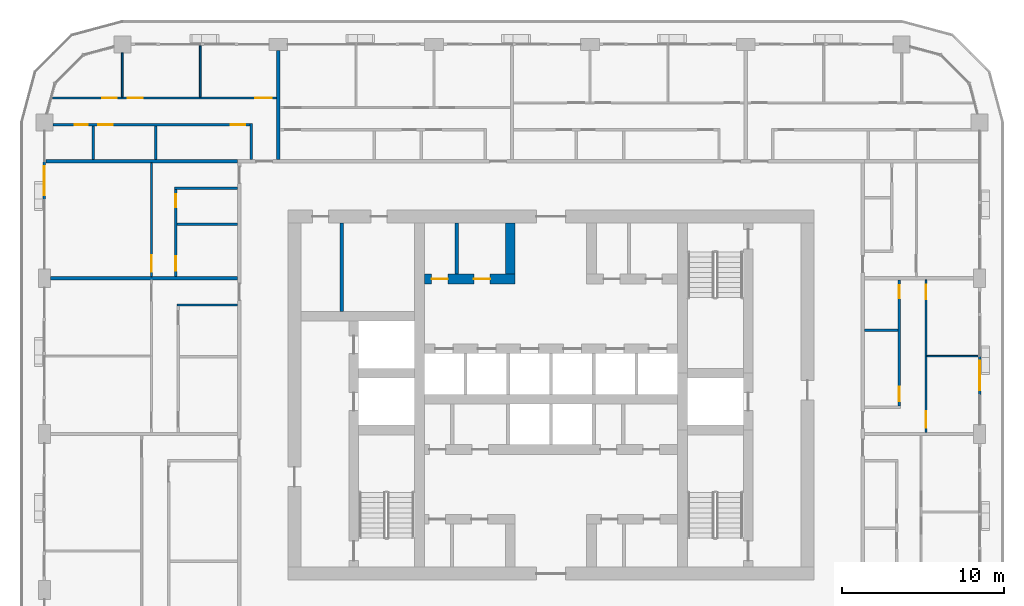
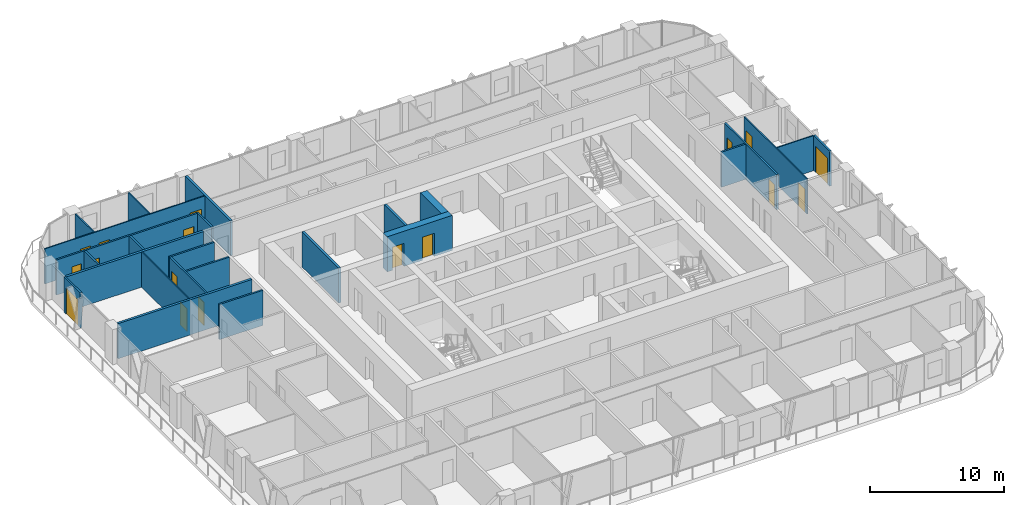
# One storey, part 13 of 22: 25 walls, 17 doors, 17 openings.
"""IFC4 building model written with IfcOpenShell, lengths in metres."""

from ifc_helpers import new_model, si_unit, direction, frame, frame_2d, origin, place, context, subcontext, project, spatial, rectangle, extrude, material, layer, layer_set, type_object, element, fill, save


model = new_model("IFC4")

# Units and contexts
model_context = context("Model", 3, precision=1e-05, world=origin(), true_north=direction((0.0, 1.0)))
body_context = subcontext(model_context, "Body", "Model", "MODEL_VIEW")
ifc_project = project(units=[si_unit("LENGTHUNIT", "METRE"), si_unit("AREAUNIT", "SQUARE_METRE"), si_unit("VOLUMEUNIT", "CUBIC_METRE"), si_unit("PLANEANGLEUNIT", "RADIAN"), si_unit("MASSUNIT", "GRAM", prefix="KILO")], contexts=[model_context])

# Site, building, storey
site_placement = place(None, origin())
site = spatial("IfcSite", under=ifc_project, at=site_placement, CompositionType="ELEMENT")
building_placement = place(site_placement, origin())
building = spatial("IfcBuilding", under=site, at=building_placement, Name="Madar Terraces", CompositionType="ELEMENT")
storey_placement = place(building_placement, frame((0.0, 0.0, 156.0)))
storey = spatial("IfcBuildingStorey", under=building, at=storey_placement, Name="L40", CompositionType="ELEMENT", Elevation=156.0)

# Wall, openings, doors
ifc_material_1 = material(Name="Concrete C70/85", Category="concrete")
ifc_layer_1 = layer(ifc_material_1, 0.60009765625)
ifc_layer_set_1 = layer_set([ifc_layer_1], Name="Concrete C70/85 (CIW3 RC wall 600)")
wall_type_1 = type_object("IfcWallType", Name="CIW3 RC wall 600", PredefinedType="SHEAR", material=ifc_layer_set_1)
wall_1_placement = place(storey_placement, frame((23.39990234375, 33.550048828125, 0.0), z_axis=(0.0, 0.0, 1.0), x_axis=(1.0, 0.0, 0.0)))
wall_1 = element("IfcWall", 1, at=wall_1_placement, inside=storey, type_object=wall_type_1, Name="CORE SHAFT WALL", PredefinedType="SHEAR", context=body_context, shape_type="SweptSolid", body=[
    extrude(rectangle(XDim=5.60009765625, YDim=0.60009765625, at=frame_2d((2.800048828125, 0.0))), origin(), (0.0, 0.0, 1.0), 3.199951171875),
])
opening_1_placement = place(wall_1_placement, frame((0.449951171875, 0.0, 0.0)))
opening_1 = element("IfcOpeningElement", 2, at=opening_1_placement, cuts=wall_1, Name="Opening KD2", PredefinedType="OPENING", context=body_context, shape_type="SweptSolid", body=[
    extrude(rectangle(XDim=1.0, YDim=2.10009765625, at=frame_2d((0.5, 1.050048828125))), frame((0.0, 0.31005859375, 0.0), z_axis=(0.0, -1.0, 0.0), x_axis=(1.0, 0.0, 0.0)), (0.0, 0.0, 1.0), 0.6201171875),
])
opening_2_placement = place(wall_1_placement, frame((3.050048828125, 0.0, 0.0)))
opening_2 = element("IfcOpeningElement", 3, at=opening_2_placement, cuts=wall_1, Name="Opening KD2", PredefinedType="OPENING", context=body_context, shape_type="SweptSolid", body=[
    extrude(rectangle(XDim=1.0, YDim=2.10009765625, at=frame_2d((0.5, 1.050048828125))), frame((0.0, 0.31005859375, 0.0), z_axis=(0.0, -1.0, 0.0), x_axis=(1.0, 0.0, 0.0)), (0.0, 0.0, 1.0), 0.6201171875),
])
ifc_material_2 = material(Name="Steel door leaf", Category="steel")
door_type_1 = type_object("IfcDoorType", Name="Service room door 1000 x 2100", OperationType="NOTDEFINED", PredefinedType="DOOR", material=ifc_material_2)
door_1_placement = place(opening_1_placement, frame((1.0, 0.0, 0.0), z_axis=(0.0, 0.0, 1.0), x_axis=(-1.0, 0.0, 0.0)))
door_1 = element("IfcDoor", 4, at=door_1_placement, inside=storey, type_object=door_type_1, Name="SERVICE ROOM DOOR", OperationType="SINGLE_SWING_LEFT", OverallHeight=2.10009765625, OverallWidth=1.0, PredefinedType="DOOR", context=body_context, shape_type="SweptSolid", body=[
    extrude(rectangle(XDim=1.0, YDim=2.10009765625, at=frame_2d((0.5, 1.050048828125))), frame((0.0, 0.02490234375, 0.0), z_axis=(0.0, -1.0, 0.0), x_axis=(1.0, 0.0, 0.0)), (0.0, 0.0, 1.0), 0.050048828125),
])
fill(opening_1, door_1)
door_2_placement = place(opening_2_placement, frame((1.0, 0.0, 0.0), z_axis=(0.0, 0.0, 1.0), x_axis=(-1.0, 0.0, 0.0)))
door_2 = element("IfcDoor", 5, at=door_2_placement, inside=storey, type_object=door_type_1, Name="SERVICE ROOM DOOR", OperationType="SINGLE_SWING_RIGHT", OverallHeight=2.10009765625, OverallWidth=1.0, PredefinedType="DOOR", context=body_context, shape_type="SweptSolid", body=[
    extrude(rectangle(XDim=1.0, YDim=2.10009765625, at=frame_2d((0.5, 1.050048828125))), frame((0.0, 0.02490234375, 0.0), z_axis=(0.0, -1.0, 0.0), x_axis=(1.0, 0.0, 0.0)), (0.0, 0.0, 1.0), 0.050048828125),
])
fill(opening_2, door_2)

# Walls
wall_2_placement = place(storey_placement, frame((28.699951171875, 33.85009765625, 0.0), z_axis=(0.0, 0.0, 1.0), x_axis=(0.0, 1.0, 0.0)))
element("IfcWall", 6, at=wall_2_placement, inside=storey, type_object=wall_type_1, Name="CORE SHAFT WALL", PredefinedType="SHEAR", context=body_context, shape_type="SweptSolid", body=[
    extrude(rectangle(XDim=3.14990234375, YDim=0.60009765625, at=frame_2d((1.574951171875, 0.0))), origin(), (0.0, 0.0, 1.0), 3.199951171875),
])
ifc_material_3 = material(Name="Masonry blockwork", Category="masonry")
ifc_layer_2 = layer(ifc_material_3, 0.199951171875)
ifc_layer_set_2 = layer_set([ifc_layer_2], Name="Core partition 200 blockwork")
wall_type_2 = type_object("IfcWallType", Name="Core partition 200 blockwork", PredefinedType="PARTITIONING", material=ifc_layer_set_2)
wall_3_placement = place(storey_placement, frame((18.320068359375, 31.550048828125, 0.0), z_axis=(0.0, 0.0, 1.0), x_axis=(0.0, 1.0, 0.0)))
element("IfcWall", 7, at=wall_3_placement, inside=storey, type_object=wall_type_2, Name="SERVICE ROOM PARTITION", PredefinedType="PARTITIONING", context=body_context, shape_type="SweptSolid", body=[
    extrude(rectangle(XDim=5.449951171875, YDim=0.199951171875, at=frame_2d((2.72509765625, 0.0))), origin(), (0.0, 0.0, 1.0), 3.199951171875),
])
wall_4_placement = place(storey_placement, frame((25.39990234375, 33.85009765625, 0.0), z_axis=(0.0, 0.0, 1.0), x_axis=(0.0, 1.0, 0.0)))
element("IfcWall", 8, at=wall_4_placement, inside=storey, type_object=wall_type_2, Name="SERVICE ROOM PARTITION", PredefinedType="PARTITIONING", context=body_context, shape_type="SweptSolid", body=[
    extrude(rectangle(XDim=3.14990234375, YDim=0.199951171875, at=frame_2d((1.574951171875, 0.0))), origin(), (0.0, 0.0, 1.0), 3.199951171875),
])

# Wall, opening, door
ifc_material_4 = material(Name="Aluminium composite panel, black, over insulated backing", Category="aluminium")
ifc_layer_3 = layer(ifc_material_4, 0.14990234375)
ifc_layer_set_3 = layer_set([ifc_layer_3], Name="Facade bay panel 150")
wall_type_3 = type_object("IfcWallType", Name="Facade bay panel 150", PredefinedType="SOLIDWALL", material=ifc_layer_set_3)
wall_5_placement = place(storey_placement, frame((57.60009765625, 26.39990234375, 0.0), z_axis=(0.0, 0.0, 1.0), x_axis=(0.0, 1.0, 0.0)))
wall_5 = element("IfcWall", 9, at=wall_5_placement, inside=storey, type_object=wall_type_3, Name="Facade bay panel", PredefinedType="SOLIDWALL", context=body_context, shape_type="SweptSolid", body=[
    extrude(rectangle(XDim=2.400146484375, YDim=0.14990234375, at=frame_2d((1.2001953125, 0.0))), origin(), (0.0, 0.0, 1.0), 3.199951171875),
])
opening_3_placement = place(wall_5_placement, frame((0.300048828125, 0.0, 0.0)))
opening_3 = element("IfcOpeningElement", 10, at=opening_3_placement, cuts=wall_5, Name="Opening ED1", PredefinedType="OPENING", context=body_context, shape_type="SweptSolid", body=[
    extrude(rectangle(XDim=1.800048828125, YDim=2.39990234375, at=frame_2d((0.89990234375, 1.199951171875))), frame((0.0, 0.0849609375, 0.0), z_axis=(0.0, -1.0, 0.0), x_axis=(1.0, 0.0, 0.0)), (0.0, 0.0, 1.0), 0.169921875),
])
ifc_material_5 = material(Name="Glass, clear, with black aluminium frame", Category="aluminium")
door_type_2 = type_object("IfcDoorType", Name="Balcony and terrace sliding door 1800 x 2400", OperationType="SLIDING_TO_LEFT", PredefinedType="DOOR", material=ifc_material_5)
door_3_placement = place(opening_3_placement, origin())
door_3 = element("IfcDoor", 11, at=door_3_placement, inside=storey, type_object=door_type_2, Name="Balcony door", OperationType="SLIDING_TO_RIGHT", OverallHeight=2.39990234375, OverallWidth=1.800048828125, PredefinedType="DOOR", context=body_context, shape_type="SweptSolid", body=[
    extrude(rectangle(XDim=1.800048828125, YDim=2.39990234375, at=frame_2d((0.89990234375, 1.199951171875))), frame((0.0, 0.02490234375, 0.0), z_axis=(0.0, -1.0, 0.0), x_axis=(1.0, 0.0, 0.0)), (0.0, 0.0, 1.0), 0.050048828125),
])
fill(opening_3, door_3)

wall_6_placement = place(storey_placement, frame((0.0, 40.800048828125, 0.0), z_axis=(0.0, 0.0, 1.0), x_axis=(0.0, -1.0, 0.0)))
wall_6 = element("IfcWall", 12, at=wall_6_placement, inside=storey, type_object=wall_type_3, Name="Facade bay panel", PredefinedType="SOLIDWALL", context=body_context, shape_type="SweptSolid", body=[
    extrude(rectangle(XDim=2.400146484375, YDim=0.14990234375, at=frame_2d((1.2001953125, 0.0))), origin(), (0.0, 0.0, 1.0), 3.199951171875),
])
opening_4_placement = place(wall_6_placement, frame((0.300048828125, 0.0, 0.0)))
opening_4 = element("IfcOpeningElement", 13, at=opening_4_placement, cuts=wall_6, Name="Opening ED1", PredefinedType="OPENING", context=body_context, shape_type="SweptSolid", body=[
    extrude(rectangle(XDim=1.800048828125, YDim=2.39990234375, at=frame_2d((0.89990234375, 1.199951171875))), frame((0.0, 0.0849609375, 0.0), z_axis=(0.0, -1.0, 0.0), x_axis=(1.0, 0.0, 0.0)), (0.0, 0.0, 1.0), 0.169921875),
])
door_4_placement = place(opening_4_placement, origin())
door_4 = element("IfcDoor", 14, at=door_4_placement, inside=storey, type_object=door_type_2, Name="Balcony door", OperationType="SLIDING_TO_LEFT", OverallHeight=2.39990234375, OverallWidth=1.800048828125, PredefinedType="DOOR", context=body_context, shape_type="SweptSolid", body=[
    extrude(rectangle(XDim=1.800048828125, YDim=2.39990234375, at=frame_2d((0.89990234375, 1.199951171875))), frame((0.0, 0.02490234375, 0.0), z_axis=(0.0, -1.0, 0.0), x_axis=(1.0, 0.0, 0.0)), (0.0, 0.0, 1.0), 0.050048828125),
])
fill(opening_4, door_4)

# Wall
ifc_material_6 = material(Name="Gypsum board on steel studs", Category="steel")
ifc_layer_4 = layer(ifc_material_6, 0.10009765625)
ifc_layer_set_4 = layer_set([ifc_layer_4], Name="Flat partition 100")
wall_type_4 = type_object("IfcWallType", Name="Flat partition 100", PredefinedType="PARTITIONING", material=ifc_layer_set_4)
wall_7_placement = place(storey_placement, frame((54.35009765625, 28.800048828125, 0.0), z_axis=(0.0, 0.0, 1.0), x_axis=(1.0, 0.0, 0.0)))
element("IfcWall", 15, at=wall_7_placement, inside=storey, type_object=wall_type_4, Name="Flat partition 100", PredefinedType="PARTITIONING", context=body_context, shape_type="SweptSolid", body=[
    extrude(rectangle(XDim=3.14990234375, YDim=0.10009765625, at=frame_2d((1.574951171875, 0.0))), origin(), (0.0, 0.0, 1.0), 3.199951171875),
])

# Wall, openings, doors
wall_8_placement = place(storey_placement, frame((54.300048828125, 33.5, 0.0), z_axis=(0.0, 0.0, 1.0), x_axis=(0.0, -1.0, 0.0)))
wall_8 = element("IfcWall", 16, at=wall_8_placement, inside=storey, type_object=wall_type_4, Name="Flat partition 100", PredefinedType="PARTITIONING", context=body_context, shape_type="SweptSolid", body=[
    extrude(rectangle(XDim=9.39990234375, YDim=0.10009765625, at=frame_2d((4.699951171875, 0.0))), origin(), (0.0, 0.0, 1.0), 3.199951171875),
])
opening_5_placement = place(wall_8_placement, frame((8.10009765625, 0.0, 0.0)))
opening_5 = element("IfcOpeningElement", 17, at=opening_5_placement, cuts=wall_8, Name="Opening D3", PredefinedType="OPENING", context=body_context, shape_type="SweptSolid", body=[
    extrude(rectangle(XDim=1.0, YDim=2.10009765625, at=frame_2d((0.5, 1.050048828125))), frame((0.0, 0.06005859375, 0.0), z_axis=(0.0, -1.0, 0.0), x_axis=(1.0, 0.0, 0.0)), (0.0, 0.0, 1.0), 0.1201171875),
])
opening_6_placement = place(wall_8_placement, frame((0.300048828125, 0.0, 0.0)))
opening_6 = element("IfcOpeningElement", 18, at=opening_6_placement, cuts=wall_8, Name="Opening D2", PredefinedType="OPENING", context=body_context, shape_type="SweptSolid", body=[
    extrude(rectangle(XDim=0.89990234375, YDim=2.10009765625, at=frame_2d((0.449951171875, 1.050048828125))), frame((0.0, 0.06005859375, 0.0), z_axis=(0.0, -1.0, 0.0), x_axis=(1.0, 0.0, 0.0)), (0.0, 0.0, 1.0), 0.1201171875),
])
ifc_material_7 = material(Name="Timber door leaf", Category="wood")
door_type_3 = type_object("IfcDoorType", Name="Flat living room door 1000", OperationType="NOTDEFINED", PredefinedType="DOOR", material=ifc_material_7)
door_5_placement = place(opening_5_placement, origin())
door_5 = element("IfcDoor", 19, at=door_5_placement, inside=storey, type_object=door_type_3, Name="Flat living room door 1000", OperationType="SINGLE_SWING_RIGHT", OverallHeight=2.10009765625, OverallWidth=1.0, PredefinedType="DOOR", context=body_context, shape_type="SweptSolid", body=[
    extrude(rectangle(XDim=1.0, YDim=2.10009765625, at=frame_2d((0.5, 1.050048828125))), frame((0.0, 0.02490234375, 0.0), z_axis=(0.0, -1.0, 0.0), x_axis=(1.0, 0.0, 0.0)), (0.0, 0.0, 1.0), 0.050048828125),
])
fill(opening_5, door_5)
ifc_material_8 = material(Name="Timber door leaf", Category="wood")
door_type_4 = type_object("IfcDoorType", Name="Flat room door 900", OperationType="NOTDEFINED", PredefinedType="DOOR", material=ifc_material_8)
door_6_placement = place(opening_6_placement, origin())
door_6 = element("IfcDoor", 20, at=door_6_placement, inside=storey, type_object=door_type_4, Name="Flat room door 900", OperationType="SINGLE_SWING_LEFT", OverallHeight=2.10009765625, OverallWidth=0.89990234375, PredefinedType="DOOR", context=body_context, shape_type="SweptSolid", body=[
    extrude(rectangle(XDim=0.89990234375, YDim=2.10009765625, at=frame_2d((0.449951171875, 1.050048828125))), frame((0.0, 0.02490234375, 0.0), z_axis=(0.0, -1.0, 0.0), x_axis=(1.0, 0.0, 0.0)), (0.0, 0.0, 1.0), 0.050048828125),
])
fill(opening_6, door_6)

# Walls
wall_9_placement = place(storey_placement, frame((9.60009765625, 44.75, 0.0), z_axis=(0.0, 0.0, 1.0), x_axis=(0.0, 1.0, 0.0)))
element("IfcWall", 21, at=wall_9_placement, inside=storey, type_object=wall_type_4, Name="Flat partition 100", PredefinedType="PARTITIONING", context=body_context, shape_type="SweptSolid", body=[
    extrude(rectangle(XDim=3.14990234375, YDim=0.10009765625, at=frame_2d((1.574951171875, 0.0))), origin(), (0.0, 0.0, 1.0), 3.199951171875),
])
wall_10_placement = place(storey_placement, frame((4.800048828125, 44.75, 0.0), z_axis=(0.0, 0.0, 1.0), x_axis=(0.0, 1.0, 0.0)))
element("IfcWall", 22, at=wall_10_placement, inside=storey, type_object=wall_type_4, Name="Flat partition 100", PredefinedType="PARTITIONING", context=body_context, shape_type="SweptSolid", body=[
    extrude(rectangle(XDim=2.72509765625, YDim=0.10009765625, at=frame_2d((1.362548828125, 0.0))), origin(), (0.0, 0.0, 1.0), 3.199951171875),
])

# Wall, openings, doors
wall_11_placement = place(storey_placement, frame((0.501953125, 44.699951171875, 0.0), z_axis=(0.0, 0.0, 1.0), x_axis=(1.0, 0.0, 0.0)))
wall_11 = element("IfcWall", 23, at=wall_11_placement, inside=storey, type_object=wall_type_4, Name="Flat partition 100", PredefinedType="PARTITIONING", context=body_context, shape_type="SweptSolid", body=[
    extrude(rectangle(XDim=13.798095703125, YDim=0.10009765625, at=frame_2d((6.89892578125, 0.0))), origin(), (0.0, 0.0, 1.0), 3.199951171875),
])
opening_7_placement = place(wall_11_placement, frame((12.498046875, 0.0, 0.0)))
opening_7 = element("IfcOpeningElement", 24, at=opening_7_placement, cuts=wall_11, Name="Opening D3", PredefinedType="OPENING", context=body_context, shape_type="SweptSolid", body=[
    extrude(rectangle(XDim=1.0, YDim=2.10009765625, at=frame_2d((0.5, 1.050048828125))), frame((0.0, 0.06005859375, 0.0), z_axis=(0.0, -1.0, 0.0), x_axis=(1.0, 0.0, 0.0)), (0.0, 0.0, 1.0), 0.1201171875),
])
opening_8_placement = place(wall_11_placement, frame((4.648193359375, 0.0, 0.0)))
opening_8 = element("IfcOpeningElement", 25, at=opening_8_placement, cuts=wall_11, Name="Opening D2", PredefinedType="OPENING", context=body_context, shape_type="SweptSolid", body=[
    extrude(rectangle(XDim=0.89990234375, YDim=2.10009765625, at=frame_2d((0.449951171875, 1.050048828125))), frame((0.0, 0.06005859375, 0.0), z_axis=(0.0, -1.0, 0.0), x_axis=(1.0, 0.0, 0.0)), (0.0, 0.0, 1.0), 0.1201171875),
])
opening_9_placement = place(wall_11_placement, frame((3.048095703125, 0.0, 0.0)))
opening_9 = element("IfcOpeningElement", 26, at=opening_9_placement, cuts=wall_11, Name="Opening D2", PredefinedType="OPENING", context=body_context, shape_type="SweptSolid", body=[
    extrude(rectangle(XDim=0.89990234375, YDim=2.10009765625, at=frame_2d((0.449951171875, 1.050048828125))), frame((0.0, 0.06005859375, 0.0), z_axis=(0.0, -1.0, 0.0), x_axis=(1.0, 0.0, 0.0)), (0.0, 0.0, 1.0), 0.1201171875),
])
door_7_placement = place(opening_7_placement, origin())
door_7 = element("IfcDoor", 27, at=door_7_placement, inside=storey, type_object=door_type_3, Name="Flat living room door 1000", OperationType="SINGLE_SWING_RIGHT", OverallHeight=2.10009765625, OverallWidth=1.0, PredefinedType="DOOR", context=body_context, shape_type="SweptSolid", body=[
    extrude(rectangle(XDim=1.0, YDim=2.10009765625, at=frame_2d((0.5, 1.050048828125))), frame((0.0, 0.02490234375, 0.0), z_axis=(0.0, -1.0, 0.0), x_axis=(1.0, 0.0, 0.0)), (0.0, 0.0, 1.0), 0.050048828125),
])
fill(opening_7, door_7)
door_8_placement = place(opening_8_placement, origin())
door_8 = element("IfcDoor", 28, at=door_8_placement, inside=storey, type_object=door_type_4, Name="Flat room door 900", OperationType="SINGLE_SWING_LEFT", OverallHeight=2.10009765625, OverallWidth=0.89990234375, PredefinedType="DOOR", context=body_context, shape_type="SweptSolid", body=[
    extrude(rectangle(XDim=0.89990234375, YDim=2.10009765625, at=frame_2d((0.449951171875, 1.050048828125))), frame((0.0, 0.02490234375, 0.0), z_axis=(0.0, -1.0, 0.0), x_axis=(1.0, 0.0, 0.0)), (0.0, 0.0, 1.0), 0.050048828125),
])
fill(opening_8, door_8)
door_9_placement = place(opening_9_placement, origin())
door_9 = element("IfcDoor", 29, at=door_9_placement, inside=storey, type_object=door_type_4, Name="Flat room door 900", OperationType="SINGLE_SWING_RIGHT", OverallHeight=2.10009765625, OverallWidth=0.89990234375, PredefinedType="DOOR", context=body_context, shape_type="SweptSolid", body=[
    extrude(rectangle(XDim=0.89990234375, YDim=2.10009765625, at=frame_2d((0.449951171875, 1.050048828125))), frame((0.0, 0.02490234375, 0.0), z_axis=(0.0, -1.0, 0.0), x_axis=(1.0, 0.0, 0.0)), (0.0, 0.0, 1.0), 0.050048828125),
])
fill(opening_9, door_9)

# Wall, opening, door
wall_12_placement = place(storey_placement, frame((6.60009765625, 33.699951171875, 0.0), z_axis=(0.0, 0.0, 1.0), x_axis=(0.0, 1.0, 0.0)))
wall_12 = element("IfcWall", 30, at=wall_12_placement, inside=storey, type_object=wall_type_4, Name="Flat partition 100", PredefinedType="PARTITIONING", context=body_context, shape_type="SweptSolid", body=[
    extrude(rectangle(XDim=7.0, YDim=0.10009765625, at=frame_2d((3.5, 0.0))), origin(), (0.0, 0.0, 1.0), 3.199951171875),
])
opening_10_placement = place(wall_12_placement, frame((0.300048828125, 0.0, 0.0)))
opening_10 = element("IfcOpeningElement", 31, at=opening_10_placement, cuts=wall_12, Name="Opening D3", PredefinedType="OPENING", context=body_context, shape_type="SweptSolid", body=[
    extrude(rectangle(XDim=1.0, YDim=2.10009765625, at=frame_2d((0.5, 1.050048828125))), frame((0.0, 0.06005859375, 0.0), z_axis=(0.0, -1.0, 0.0), x_axis=(1.0, 0.0, 0.0)), (0.0, 0.0, 1.0), 0.1201171875),
])
door_10_placement = place(opening_10_placement, origin())
door_10 = element("IfcDoor", 32, at=door_10_placement, inside=storey, type_object=door_type_3, Name="Flat living room door 1000", OperationType="SINGLE_SWING_LEFT", OverallHeight=2.10009765625, OverallWidth=1.0, PredefinedType="DOOR", context=body_context, shape_type="SweptSolid", body=[
    extrude(rectangle(XDim=1.0, YDim=2.10009765625, at=frame_2d((0.5, 1.050048828125))), frame((0.0, 0.02490234375, 0.0), z_axis=(0.0, -1.0, 0.0), x_axis=(1.0, 0.0, 0.0)), (0.0, 0.0, 1.0), 0.050048828125),
])
fill(opening_10, door_10)

# Walls
ifc_material_9 = material(Name="Lightweight blockwork", Category="masonry")
ifc_layer_5 = layer(ifc_material_9, 0.199951171875)
ifc_layer_set_5 = layer_set([ifc_layer_5], Name="Flat party and entrance wall 200")
wall_type_5 = type_object("IfcWallType", Name="Flat party and entrance wall 200", PredefinedType="PARTITIONING", material=ifc_layer_set_5)
wall_13_placement = place(storey_placement, frame((14.39990234375, 47.625, 0.0), z_axis=(0.0, 0.0, 1.0), x_axis=(0.0, -1.0, 0.0)))
element("IfcWall", 33, at=wall_13_placement, inside=storey, type_object=wall_type_5, Name="Flat party and entrance wall 200", PredefinedType="PARTITIONING", context=body_context, shape_type="SweptSolid", body=[
    extrude(rectangle(XDim=6.72509765625, YDim=0.199951171875, at=frame_2d((3.362548828125, 0.0))), origin(), (0.0, 0.0, 1.0), 3.199951171875),
])
wall_14_placement = place(storey_placement, frame((0.10009765625, 40.800048828125, 0.0), z_axis=(0.0, 0.0, 1.0), x_axis=(1.0, 0.0, 0.0)))
element("IfcWall", 34, at=wall_14_placement, inside=storey, type_object=wall_type_5, Name="Flat party and entrance wall 200", PredefinedType="PARTITIONING", context=body_context, shape_type="SweptSolid", body=[
    extrude(rectangle(XDim=11.7998046875, YDim=0.199951171875, at=frame_2d((5.89990234375, 0.0))), origin(), (0.0, 0.0, 1.0), 3.199951171875),
])
wall_15_placement = place(storey_placement, frame((0.375, 33.60009765625, 0.0), z_axis=(0.0, 0.0, 1.0), x_axis=(1.0, 0.0, 0.0)))
element("IfcWall", 35, at=wall_15_placement, inside=storey, type_object=wall_type_5, Name="Flat party and entrance wall 200", PredefinedType="PARTITIONING", context=body_context, shape_type="SweptSolid", body=[
    extrude(rectangle(XDim=11.52490234375, YDim=0.199951171875, at=frame_2d((5.762451171875, 0.0))), origin(), (0.0, 0.0, 1.0), 3.199951171875),
])
ifc_material_10 = material(Name="Lightweight blockwork", Category="masonry")
ifc_layer_6 = layer(ifc_material_10, 0.14990234375)
ifc_layer_set_6 = layer_set([ifc_layer_6], Name="Flat wet-room partition 150")
wall_type_6 = type_object("IfcWallType", Name="Flat wet-room partition 150", PredefinedType="PARTITIONING", material=ifc_layer_set_6)
wall_16_placement = place(storey_placement, frame((50.5, 30.389892578125, 0.0), z_axis=(0.0, 0.0, 1.0), x_axis=(1.0, 0.0, 0.0)))
element("IfcWall", 36, at=wall_16_placement, inside=storey, type_object=wall_type_6, Name="Flat wet-room partition 150", PredefinedType="PARTITIONING", context=body_context, shape_type="SweptSolid", body=[
    extrude(rectangle(XDim=2.074951171875, YDim=0.14990234375, at=frame_2d((1.03759765625, 0.0))), origin(), (0.0, 0.0, 1.0), 3.199951171875),
])

# Wall, openings, doors
wall_17_placement = place(storey_placement, frame((52.64990234375, 25.72509765625, 0.0), z_axis=(0.0, 0.0, 1.0), x_axis=(0.0, 1.0, 0.0)))
wall_17 = element("IfcWall", 37, at=wall_17_placement, inside=storey, type_object=wall_type_6, Name="Flat wet-room partition 150", PredefinedType="PARTITIONING", context=body_context, shape_type="SweptSolid", body=[
    extrude(rectangle(XDim=7.77490234375, YDim=0.14990234375, at=frame_2d((3.887451171875, 0.0))), origin(), (0.0, 0.0, 1.0), 3.199951171875),
])
opening_11_placement = place(wall_17_placement, frame((0.300048828125, 0.0, 0.0)))
opening_11 = element("IfcOpeningElement", 38, at=opening_11_placement, cuts=wall_17, Name="Opening D2", PredefinedType="OPENING", context=body_context, shape_type="SweptSolid", body=[
    extrude(rectangle(XDim=0.89990234375, YDim=2.10009765625, at=frame_2d((0.449951171875, 1.050048828125))), frame((0.0, 0.0849609375, 0.0), z_axis=(0.0, -1.0, 0.0), x_axis=(1.0, 0.0, 0.0)), (0.0, 0.0, 1.0), 0.169921875),
])
opening_12_placement = place(wall_17_placement, frame((6.625, 0.0, 0.0)))
opening_12 = element("IfcOpeningElement", 39, at=opening_12_placement, cuts=wall_17, Name="Opening D4", PredefinedType="OPENING", context=body_context, shape_type="SweptSolid", body=[
    extrude(rectangle(XDim=0.800048828125, YDim=2.10009765625, at=frame_2d((0.39990234375, 1.050048828125))), frame((0.0, 0.0849609375, 0.0), z_axis=(0.0, -1.0, 0.0), x_axis=(1.0, 0.0, 0.0)), (0.0, 0.0, 1.0), 0.169921875),
])
ifc_material_11 = material(Name="Timber door leaf", Category="wood")
door_type_5 = type_object("IfcDoorType", Name="Flat bathroom door 800", OperationType="NOTDEFINED", PredefinedType="DOOR", material=ifc_material_11)
door_11_placement = place(opening_12_placement, origin())
door_11 = element("IfcDoor", 40, at=door_11_placement, inside=storey, type_object=door_type_5, Name="Flat bathroom door 800", OperationType="SINGLE_SWING_RIGHT", OverallHeight=2.10009765625, OverallWidth=0.800048828125, PredefinedType="DOOR", context=body_context, shape_type="SweptSolid", body=[
    extrude(rectangle(XDim=0.800048828125, YDim=2.10009765625, at=frame_2d((0.39990234375, 1.050048828125))), frame((0.0, 0.02490234375, 0.0), z_axis=(0.0, -1.0, 0.0), x_axis=(1.0, 0.0, 0.0)), (0.0, 0.0, 1.0), 0.050048828125),
])
fill(opening_12, door_11)
door_12_placement = place(opening_11_placement, origin())
door_12 = element("IfcDoor", 41, at=door_12_placement, inside=storey, type_object=door_type_4, Name="Flat room door 900", OperationType="SINGLE_SWING_LEFT", OverallHeight=2.10009765625, OverallWidth=0.89990234375, PredefinedType="DOOR", context=body_context, shape_type="SweptSolid", body=[
    extrude(rectangle(XDim=0.89990234375, YDim=2.10009765625, at=frame_2d((0.449951171875, 1.050048828125))), frame((0.0, 0.02490234375, 0.0), z_axis=(0.0, -1.0, 0.0), x_axis=(1.0, 0.0, 0.0)), (0.0, 0.0, 1.0), 0.050048828125),
])
fill(opening_11, door_12)

# Walls
for number, where, z_axis, x_axis, name in (
    (42, (6.87109375, 40.89990234375, 0.0), (0.0, 0.0, 1.0), (0.0, 1.0, 0.0), "Flat wet-room partition 150"),
    (43, (3.001953125, 40.89990234375, 0.0), (0.0, 0.0, 1.0), (0.0, 1.0, 0.0), "Flat wet-room partition 150"),
):
    element("IfcWall", number, at=place(storey_placement, frame(where, z_axis=z_axis, x_axis=x_axis)), inside=storey, type_object=wall_type_6, Name=name, PredefinedType="PARTITIONING", context=body_context, shape_type="SweptSolid", body=[
        extrude(rectangle(XDim=2.0751953125, YDim=0.14990234375, at=frame_2d((1.03759765625, 0.0))), origin(), (0.0, 0.0, 1.0), 3.199951171875),
    ])
wall_18_placement = place(storey_placement, frame((12.75, 40.89990234375, 0.0), z_axis=(0.0, 0.0, 1.0), x_axis=(0.0, 1.0, 0.0)))
element("IfcWall", 44, at=wall_18_placement, inside=storey, type_object=wall_type_6, Name="Flat wet-room partition 150", PredefinedType="PARTITIONING", context=body_context, shape_type="SweptSolid", body=[
    extrude(rectangle(XDim=2.22509765625, YDim=0.14990234375, at=frame_2d((1.112548828125, 0.0))), origin(), (0.0, 0.0, 1.0), 3.199951171875),
])

# Wall, openings, doors
wall_19_placement = place(storey_placement, frame((12.675048828125, 43.050048828125, 0.0), z_axis=(0.0, 0.0, 1.0), x_axis=(-1.0, 0.0, 0.0)))
wall_19 = element("IfcWall", 45, at=wall_19_placement, inside=storey, type_object=wall_type_6, Name="Flat wet-room partition 150", PredefinedType="PARTITIONING", context=body_context, shape_type="SweptSolid", body=[
    extrude(rectangle(XDim=12.150146484375, YDim=0.14990234375, at=frame_2d((6.0751953125, 0.0))), origin(), (0.0, 0.0, 1.0), 3.199951171875),
])
opening_13_placement = place(wall_19_placement, frame((0.300048828125, 0.0, 0.0)))
opening_13 = element("IfcOpeningElement", 46, at=opening_13_placement, cuts=wall_19, Name="Opening D2", PredefinedType="OPENING", context=body_context, shape_type="SweptSolid", body=[
    extrude(rectangle(XDim=0.89990234375, YDim=2.10009765625, at=frame_2d((0.449951171875, 1.050048828125))), frame((0.0, 0.0849609375, 0.0), z_axis=(0.0, -1.0, 0.0), x_axis=(1.0, 0.0, 0.0)), (0.0, 0.0, 1.0), 0.169921875),
])
opening_14_placement = place(wall_19_placement, frame((8.447998046875, 0.0, 0.0)))
opening_14 = element("IfcOpeningElement", 47, at=opening_14_placement, cuts=wall_19, Name="Opening D5", PredefinedType="OPENING", context=body_context, shape_type="SweptSolid", body=[
    extrude(rectangle(XDim=0.89990234375, YDim=2.10009765625, at=frame_2d((0.449951171875, 1.050048828125))), frame((0.0, 0.0849609375, 0.0), z_axis=(0.0, -1.0, 0.0), x_axis=(1.0, 0.0, 0.0)), (0.0, 0.0, 1.0), 0.169921875),
])
opening_15_placement = place(wall_19_placement, frame((9.998046875, 0.0, 0.0)))
opening_15 = element("IfcOpeningElement", 48, at=opening_15_placement, cuts=wall_19, Name="Opening D4", PredefinedType="OPENING", context=body_context, shape_type="SweptSolid", body=[
    extrude(rectangle(XDim=0.800048828125, YDim=2.10009765625, at=frame_2d((0.39990234375, 1.050048828125))), frame((0.0, 0.0849609375, 0.0), z_axis=(0.0, -1.0, 0.0), x_axis=(1.0, 0.0, 0.0)), (0.0, 0.0, 1.0), 0.169921875),
])
ifc_material_12 = material(Name="Timber door leaf", Category="wood")
door_type_6 = type_object("IfcDoorType", Name="Flat accessible bathroom door 900", OperationType="NOTDEFINED", PredefinedType="DOOR", material=ifc_material_12)
door_13_placement = place(opening_14_placement, origin())
door_13 = element("IfcDoor", 49, at=door_13_placement, inside=storey, type_object=door_type_6, Name="Flat accessible bathroom door 900", OperationType="SINGLE_SWING_RIGHT", OverallHeight=2.10009765625, OverallWidth=0.89990234375, PredefinedType="DOOR", context=body_context, shape_type="SweptSolid", body=[
    extrude(rectangle(XDim=0.89990234375, YDim=2.10009765625, at=frame_2d((0.449951171875, 1.050048828125))), frame((0.0, 0.02490234375, 0.0), z_axis=(0.0, -1.0, 0.0), x_axis=(1.0, 0.0, 0.0)), (0.0, 0.0, 1.0), 0.050048828125),
])
fill(opening_14, door_13)
door_14_placement = place(opening_15_placement, origin())
door_14 = element("IfcDoor", 50, at=door_14_placement, inside=storey, type_object=door_type_5, Name="Flat bathroom door 800", OperationType="SINGLE_SWING_LEFT", OverallHeight=2.10009765625, OverallWidth=0.800048828125, PredefinedType="DOOR", context=body_context, shape_type="SweptSolid", body=[
    extrude(rectangle(XDim=0.800048828125, YDim=2.10009765625, at=frame_2d((0.39990234375, 1.050048828125))), frame((0.0, 0.02490234375, 0.0), z_axis=(0.0, -1.0, 0.0), x_axis=(1.0, 0.0, 0.0)), (0.0, 0.0, 1.0), 0.050048828125),
])
fill(opening_15, door_14)
door_15_placement = place(opening_13_placement, origin())
door_15 = element("IfcDoor", 51, at=door_15_placement, inside=storey, type_object=door_type_4, Name="Flat room door 900", OperationType="SINGLE_SWING_LEFT", OverallHeight=2.10009765625, OverallWidth=0.89990234375, PredefinedType="DOOR", context=body_context, shape_type="SweptSolid", body=[
    extrude(rectangle(XDim=0.89990234375, YDim=2.10009765625, at=frame_2d((0.449951171875, 1.050048828125))), frame((0.0, 0.02490234375, 0.0), z_axis=(0.0, -1.0, 0.0), x_axis=(1.0, 0.0, 0.0)), (0.0, 0.0, 1.0), 0.050048828125),
])
fill(opening_13, door_15)

# Walls
wall_20_placement = place(storey_placement, frame((11.89990234375, 36.925048828125, 0.0), z_axis=(0.0, 0.0, 1.0), x_axis=(-1.0, 0.0, 0.0)))
element("IfcWall", 52, at=wall_20_placement, inside=storey, type_object=wall_type_6, Name="Flat wet-room partition 150", PredefinedType="PARTITIONING", context=body_context, shape_type="SweptSolid", body=[
    extrude(rectangle(XDim=3.724853515625, YDim=0.14990234375, at=frame_2d((1.8623046875, 0.0))), origin(), (0.0, 0.0, 1.0), 3.199951171875),
])
wall_21_placement = place(storey_placement, frame((11.89990234375, 39.14990234375, 0.0), z_axis=(0.0, 0.0, 1.0), x_axis=(-1.0, 0.0, 0.0)))
element("IfcWall", 53, at=wall_21_placement, inside=storey, type_object=wall_type_6, Name="Flat wet-room partition 150", PredefinedType="PARTITIONING", context=body_context, shape_type="SweptSolid", body=[
    extrude(rectangle(XDim=3.875, YDim=0.14990234375, at=frame_2d((1.9375, 0.0))), origin(), (0.0, 0.0, 1.0), 3.199951171875),
])

# Wall, openings, doors
wall_22_placement = place(storey_placement, frame((8.10009765625, 39.074951171875, 0.0), z_axis=(0.0, 0.0, 1.0), x_axis=(0.0, -1.0, 0.0)))
wall_22 = element("IfcWall", 54, at=wall_22_placement, inside=storey, type_object=wall_type_6, Name="Flat wet-room partition 150", PredefinedType="PARTITIONING", context=body_context, shape_type="SweptSolid", body=[
    extrude(rectangle(XDim=5.375, YDim=0.14990234375, at=frame_2d((2.6875, 0.0))), origin(), (0.0, 0.0, 1.0), 3.199951171875),
])
opening_16_placement = place(wall_22_placement, frame((0.300048828125, 0.0, 0.0)))
opening_16 = element("IfcOpeningElement", 55, at=opening_16_placement, cuts=wall_22, Name="Opening D4", PredefinedType="OPENING", context=body_context, shape_type="SweptSolid", body=[
    extrude(rectangle(XDim=0.800048828125, YDim=2.10009765625, at=frame_2d((0.39990234375, 1.050048828125))), frame((0.0, 0.0849609375, 0.0), z_axis=(0.0, -1.0, 0.0), x_axis=(1.0, 0.0, 0.0)), (0.0, 0.0, 1.0), 0.169921875),
])
opening_17_placement = place(wall_22_placement, frame((4.125, 0.0, 0.0)))
opening_17 = element("IfcOpeningElement", 56, at=opening_17_placement, cuts=wall_22, Name="Opening D2", PredefinedType="OPENING", context=body_context, shape_type="SweptSolid", body=[
    extrude(rectangle(XDim=0.89990234375, YDim=2.10009765625, at=frame_2d((0.449951171875, 1.050048828125))), frame((0.0, 0.0849609375, 0.0), z_axis=(0.0, -1.0, 0.0), x_axis=(1.0, 0.0, 0.0)), (0.0, 0.0, 1.0), 0.169921875),
])
door_16_placement = place(opening_16_placement, origin())
door_16 = element("IfcDoor", 57, at=door_16_placement, inside=storey, type_object=door_type_5, Name="Flat bathroom door 800", OperationType="SINGLE_SWING_LEFT", OverallHeight=2.10009765625, OverallWidth=0.800048828125, PredefinedType="DOOR", context=body_context, shape_type="SweptSolid", body=[
    extrude(rectangle(XDim=0.800048828125, YDim=2.10009765625, at=frame_2d((0.39990234375, 1.050048828125))), frame((0.0, 0.02490234375, 0.0), z_axis=(0.0, -1.0, 0.0), x_axis=(1.0, 0.0, 0.0)), (0.0, 0.0, 1.0), 0.050048828125),
])
fill(opening_16, door_16)
door_17_placement = place(opening_17_placement, origin())
door_17 = element("IfcDoor", 58, at=door_17_placement, inside=storey, type_object=door_type_4, Name="Flat room door 900", OperationType="SINGLE_SWING_RIGHT", OverallHeight=2.10009765625, OverallWidth=0.89990234375, PredefinedType="DOOR", context=body_context, shape_type="SweptSolid", body=[
    extrude(rectangle(XDim=0.89990234375, YDim=2.10009765625, at=frame_2d((0.449951171875, 1.050048828125))), frame((0.0, 0.02490234375, 0.0), z_axis=(0.0, -1.0, 0.0), x_axis=(1.0, 0.0, 0.0)), (0.0, 0.0, 1.0), 0.050048828125),
])
fill(opening_17, door_17)

# Wall
wall_23_placement = place(storey_placement, frame((11.89990234375, 31.949951171875, 0.0), z_axis=(0.0, 0.0, 1.0), x_axis=(-1.0, 0.0, 0.0)))
element("IfcWall", 59, at=wall_23_placement, inside=storey, type_object=wall_type_6, Name="Flat wet-room partition 150", PredefinedType="PARTITIONING", context=body_context, shape_type="SweptSolid", body=[
    extrude(rectangle(XDim=3.724853515625, YDim=0.14990234375, at=frame_2d((1.8623046875, 0.0))), origin(), (0.0, 0.0, 1.0), 3.199951171875),
])

save(model, "model.ifc")
